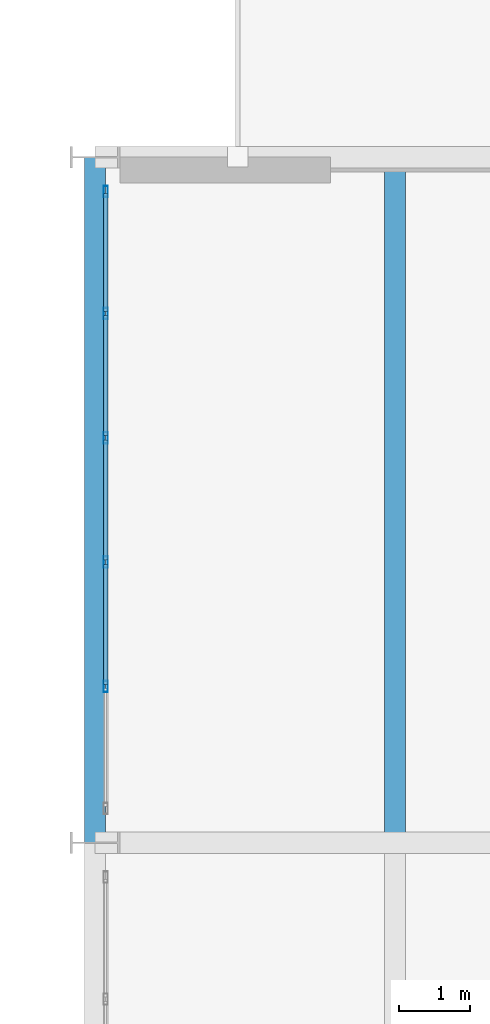
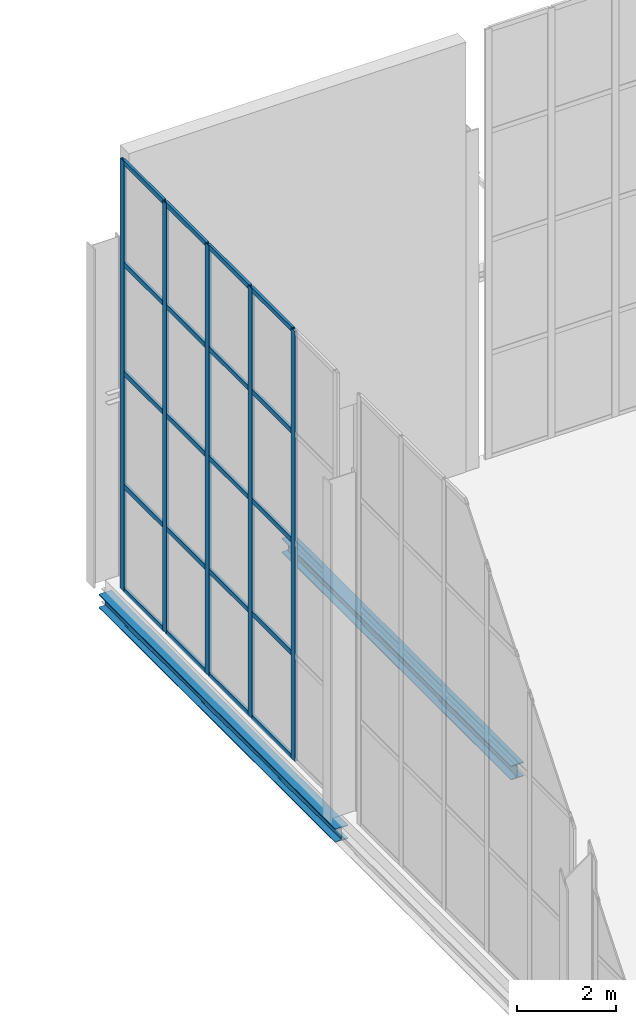
# One storey, part 62 of 131: 25 members, 2 beams, 1 element without a shape of its own.
"""IFC4 building model written with IfcOpenShell, lengths in metres."""

import ifcopenshell
import ifcopenshell.guid

model = None  # the IFC model being written
_history = None  # IfcOwnerHistory: only IFC2X3 demands one
_inside = {}  # id of a spatial element -> (the spatial element, [elements in it])
_under = {}  # id of a project, library or spatial element -> (it, [spatial elements below it])
_declared = {}  # id of a project -> (the project, [libraries it declares])
_typed = {}  # id of a type object -> (the type object, [elements of that type])
_made_of = {}  # id of a material, layer set ... -> (it, [elements and type objects made of it])


def new_model(schema):
    """Start an empty IFC model of exactly this schema.

    Asked for "IFC4X3", IfcOpenShell would pick the latest addendum, in which some entities
    have other attributes; the version numbers below select the first issue.
    IFC2X3 requires an IfcOwnerHistory on every rooted entity: one is made here for all.
    """
    global model, _history
    if schema == "IFC4X3":
        model = ifcopenshell.file(schema_version=(4, 3, 0, 0))
    else:
        model = ifcopenshell.file(schema=schema)
    _inside.clear()
    _under.clear()
    _declared.clear()
    _typed.clear()
    _made_of.clear()
    _history = None
    if model.schema == "IFC2X3":
        org = make("IfcOrganization", Name="unknown")
        user = make(
            "IfcPersonAndOrganization",
            ThePerson=make("IfcPerson", FamilyName="unknown"),
            TheOrganization=org,
        )
        app = make(
            "IfcApplication",
            ApplicationDeveloper=org,
            Version="unknown",
            ApplicationFullName="unknown",
            ApplicationIdentifier="unknown",
        )
        _history = make(
            "IfcOwnerHistory",
            OwningUser=user,
            OwningApplication=app,
            ChangeAction="ADDED",
            CreationDate=0,
        )
    return model


def make(cls, **values):
    """One entity of the class cls with the attributes given. An attribute that is None is left unset."""
    return model.create_entity(
        cls, **{name: value for name, value in values.items() if value is not None}
    )


def rooted(cls, **values):
    """An entity with a GlobalId (a new one), such as an element, a storey or a relation."""
    return make(cls, GlobalId=ifcopenshell.guid.new(), OwnerHistory=_history, **values)


def si_unit(unit_type, name, prefix=None):
    """IfcSIUnit, for example si_unit("LENGTHUNIT", "METRE", prefix="MILLI")."""
    return make("IfcSIUnit", UnitType=unit_type, Prefix=prefix, Name=name)


def assignment(units):
    """IfcUnitAssignment: the units of a project."""
    return None if units is None else make("IfcUnitAssignment", Units=units)


def point(xyz):
    """IfcCartesianPoint."""
    return None if xyz is None else make("IfcCartesianPoint", Coordinates=xyz)


def direction(xyz):
    """IfcDirection."""
    return None if xyz is None else make("IfcDirection", DirectionRatios=xyz)


def frame(location, z_axis=None, x_axis=None):
    """IfcAxis2Placement3D, a coordinate frame: its origin and axes. An axis left out is left unset."""
    return make(
        "IfcAxis2Placement3D",
        Location=point(location),
        Axis=direction(z_axis),
        RefDirection=direction(x_axis),
    )


def frame_2d(location, x_axis=None):
    """IfcAxis2Placement2D, a coordinate frame in the plane: its origin and x axis."""
    return make(
        "IfcAxis2Placement2D", Location=point(location), RefDirection=direction(x_axis)
    )


def origin():
    """The frame at (0, 0, 0) with its axes left unset."""
    return frame((0.0, 0.0, 0.0))


def origin_2d():
    """The frame at (0, 0) in the plane with its x axis left unset."""
    return frame_2d((0.0, 0.0))


def place(relative_to, where):
    """IfcLocalPlacement: puts the frame where relative to a parent placement (None: the world)."""
    return make(
        "IfcLocalPlacement", PlacementRelTo=relative_to, RelativePlacement=where
    )


def context(
    kind, dimensions, precision=None, world=None, true_north=None, identifier=None
):
    """IfcGeometricRepresentationContext, for example the 3D "Model" context."""
    return make(
        "IfcGeometricRepresentationContext",
        ContextIdentifier=identifier,
        ContextType=kind,
        CoordinateSpaceDimension=dimensions,
        Precision=precision,
        WorldCoordinateSystem=world,
        TrueNorth=true_north,
    )


def subcontext(parent, identifier, kind, view, scale=None):
    """IfcGeometricRepresentationSubContext, for example "Body" below "Model"."""
    return make(
        "IfcGeometricRepresentationSubContext",
        ContextIdentifier=identifier,
        ContextType=kind,
        ParentContext=parent,
        TargetScale=scale,
        TargetView=view,
    )


def project(units=None, contexts=None):
    """IfcProject with its units and contexts."""
    return rooted(
        "IfcProject",
        Name="project",
        RepresentationContexts=contexts,
        UnitsInContext=assignment(units),
    )


def spatial(cls, under=None, at=None, **own):
    """A site, building, storey or space (cls), placed at a placement, below another one or the project."""
    s = rooted(cls, ObjectPlacement=at, **own)
    if under is not None:
        _under.setdefault(under.id(), (under, []))[1].append(s)
    return s


def profile(cls, at=None, kind="AREA", **sizes):
    """A parametric profile (cls). Its sizes go by their IFC names, for example OverallWidth=200.0."""
    return make(cls, ProfileType=kind, Position=at, **sizes)


def hollow_rectangle(**sizes):
    """IfcRectangleHollowProfileDef."""
    return profile("IfcRectangleHollowProfileDef", **sizes)


def i_section(**sizes):
    """IfcIShapeProfileDef."""
    return profile("IfcIShapeProfileDef", **sizes)


def extrude(swept, where, along, depth):
    """IfcExtrudedAreaSolid: the profile swept, set in the frame where, extruded along a direction by depth."""
    return make(
        "IfcExtrudedAreaSolid",
        SweptArea=swept,
        Position=where,
        ExtrudedDirection=direction(along),
        Depth=depth,
    )


def shape(context_of_items, identifier, shape_type, items):
    """IfcShapeRepresentation: the items that make up one representation, for example the "Body"."""
    return make(
        "IfcShapeRepresentation",
        ContextOfItems=context_of_items,
        RepresentationIdentifier=identifier,
        RepresentationType=shape_type,
        Items=items,
    )


def material(Name=None, Category=None):
    """IfcMaterial."""
    return make("IfcMaterial", Name=Name, Category=Category)


def material_profile(
    of_material, cross_section, Name=None, Category=None, Priority=None
):
    """IfcMaterialProfile: a cross section and its material."""
    return make(
        "IfcMaterialProfile",
        Name=Name,
        Material=of_material,
        Profile=cross_section,
        Priority=Priority,
        Category=Category,
    )


def profile_set(profiles, Name=None, composite=None):
    """IfcMaterialProfileSet."""
    return make(
        "IfcMaterialProfileSet",
        Name=Name,
        MaterialProfiles=profiles,
        CompositeProfile=composite,
    )


def made_of(thing, what):
    """Note that an element or type object is made of a material, layer set ...; save() writes the relation."""
    if what is not None:
        _made_of.setdefault(what.id(), (what, []))[1].append(thing)
    return thing


def type_object(cls, material=None, **own):
    """A type object (cls), such as IfcWallType, which elements share."""
    return made_of(rooted(cls, **own), material)


def element(
    cls,
    number,
    at=None,
    inside=None,
    cuts=None,
    type_object=None,
    material=None,
    context=None,
    identifier="Body",
    shape_type=None,
    held_by="IfcProductDefinitionShape",
    body=None,
    shapes=None,
    **own,
):
    """One element of the class cls, such as IfcWall. Its Tag is "e" and its number.

    at: its placement. inside: the storey or other place that contains it. cuts: it is an
    opening in that element (IfcRelVoidsElement). A single representation is given by context,
    identifier, shape_type and body (its items); several are given by shapes. held_by: the class
    of the entity that holds the representations. save() writes the other relations.
    """
    e = rooted(cls, Tag="e%d" % number, ObjectPlacement=at, **own)
    if body is not None:
        shapes = [shape(context, identifier, shape_type, body)]
    if shapes is not None:
        e.Representation = make(held_by, Representations=shapes)
    if inside is not None:
        _inside.setdefault(inside.id(), (inside, []))[1].append(e)
    if cuts is not None:
        rooted(
            "IfcRelVoidsElement", RelatingBuildingElement=cuts, RelatedOpeningElement=e
        )
    if type_object is not None:
        _typed.setdefault(type_object.id(), (type_object, []))[1].append(e)
    return made_of(e, material)


def aggregate(whole, parts):
    """IfcRelAggregates: a whole, such as a stair, and the parts it consists of."""
    return rooted("IfcRelAggregates", RelatingObject=whole, RelatedObjects=parts)


def save(model, path):
    """Write the relations noted so far, then the file.

    IfcRelAggregates (storeys below a building ...), IfcRelContainedInSpatialStructure (elements
    in a storey), IfcRelDefinesByType, IfcRelAssociatesMaterial and IfcRelDeclares: one each for
    every whole, place, type object, material and project.
    """
    for whole, parts in _under.values():
        aggregate(whole, parts)
    for where, things in _inside.values():
        rooted(
            "IfcRelContainedInSpatialStructure",
            RelatedElements=things,
            RelatingStructure=where,
        )
    for kind, things in _typed.values():
        rooted("IfcRelDefinesByType", RelatedObjects=things, RelatingType=kind)
    for what, things in _made_of.values():
        rooted("IfcRelAssociatesMaterial", RelatedObjects=things, RelatingMaterial=what)
    for by, libraries in _declared.values():
        rooted("IfcRelDeclares", RelatingContext=by, RelatedDefinitions=libraries)
    model.write(path)


model = new_model("IFC4")

# Units and contexts
model_context = context("Model", 3, precision=1e-05, world=origin(), true_north=direction((0.0, 1.0)))
body_context = subcontext(model_context, "Body", "Model", "MODEL_VIEW")
ifc_project = project(units=[si_unit("LENGTHUNIT", "METRE"), si_unit("AREAUNIT", "SQUARE_METRE"), si_unit("VOLUMEUNIT", "CUBIC_METRE"), si_unit("PLANEANGLEUNIT", "RADIAN"), si_unit("MASSUNIT", "GRAM", prefix="KILO")], contexts=[model_context])

# Site, building, storey
site_placement = place(None, origin())
site = spatial("IfcSite", under=ifc_project, at=site_placement, CompositionType="ELEMENT")
building_placement = place(site_placement, origin())
building = spatial("IfcBuilding", under=site, at=building_placement, Name="Veltarok Museum of Natural Sciences", CompositionType="ELEMENT")
storey_placement = place(building_placement, origin())
storey = spatial("IfcBuildingStorey", under=building, at=storey_placement, Name="L00", CompositionType="ELEMENT", Elevation=0.0)

# Curtain wall, members
ifc_material_1 = material(Name="Low-iron triple insulated glass", Category="glass")
curtain_wall_type = type_object("IfcCurtainWallType", Name="Curtain Wall System CW-PAS-NW-KL-870x1065 (Sculpture Court Passage K-L 870x1065cm)", PredefinedType="NOTDEFINED", material=ifc_material_1)
curtain_wall_placement = place(storey_placement, origin())
curtain_wall = element("IfcCurtainWall", 1, at=curtain_wall_placement, inside=storey, type_object=curtain_wall_type, Name="Curtain Wall CW-PAS-NW-KL-870x1065 CW-0026", PredefinedType="NOTDEFINED")
ifc_material_2 = material(Name="Thermally broken anodised aluminium", Category="aluminium")
ifc_material_profile_1 = material_profile(ifc_material_2, hollow_rectangle(XDim=0.06005859375, YDim=0.1201171875, WallThickness=0.0048828125, at=origin_2d()), Name="CW TRANSOM 60x120x5")
ifc_profile_set_1 = profile_set([ifc_material_profile_1], Name="Thermally broken anodised aluminium")
member_type_1 = type_object("IfcMemberType", Name="Curtain Wall Horizontal Transom 60x120x5", PredefinedType="USERDEFINED", material=ifc_profile_set_1)
member_1_placement = place(storey_placement, frame((31.75, 93.419921875, 0.030029296875), z_axis=(0.0, 1.0, 0.0), x_axis=(-1.0, 0.0, 0.0)))
member_1 = element("IfcMember", 2, at=member_1_placement, type_object=member_type_1, Name="CW-PAS-NW-KL-870x1065 transom 2.1", ObjectType="TRANSOM", PredefinedType="USERDEFINED", context=body_context, shape_type="SweptSolid", body=[
    extrude(hollow_rectangle(XDim=0.06005859375, YDim=0.1201171875, WallThickness=0.0048828125, at=origin_2d()), origin(), (0.0, 0.0, 1.0), 1.68017578125),
])
member_2_placement = place(storey_placement, frame((31.75, 93.419921875, 2.60009765625), z_axis=(0.0, 1.0, 0.0), x_axis=(-1.0, 0.0, 0.0)))
member_2 = element("IfcMember", 3, at=member_2_placement, type_object=member_type_1, Name="CW-PAS-NW-KL-870x1065 transom 2.2", ObjectType="TRANSOM", PredefinedType="USERDEFINED", context=body_context, shape_type="SweptSolid", body=[
    extrude(hollow_rectangle(XDim=0.06005859375, YDim=0.1201171875, WallThickness=0.0048828125, at=origin_2d()), origin(), (0.0, 0.0, 1.0), 1.68017578125),
])
member_3_placement = place(storey_placement, frame((31.75, 93.419921875, 5.39990234375), z_axis=(0.0, 1.0, 0.0), x_axis=(-1.0, 0.0, 0.0)))
member_3 = element("IfcMember", 4, at=member_3_placement, type_object=member_type_1, Name="CW-PAS-NW-KL-870x1065 transom 2.3", ObjectType="TRANSOM", PredefinedType="USERDEFINED", context=body_context, shape_type="SweptSolid", body=[
    extrude(hollow_rectangle(XDim=0.06005859375, YDim=0.1201171875, WallThickness=0.0048828125, at=origin_2d()), origin(), (0.0, 0.0, 1.0), 1.68017578125),
])
member_4_placement = place(storey_placement, frame((31.75, 93.419921875, 8.10009765625), z_axis=(0.0, 1.0, 0.0), x_axis=(-1.0, 0.0, 0.0)))
member_4 = element("IfcMember", 5, at=member_4_placement, type_object=member_type_1, Name="CW-PAS-NW-KL-870x1065 transom 2.4", ObjectType="TRANSOM", PredefinedType="USERDEFINED", context=body_context, shape_type="SweptSolid", body=[
    extrude(hollow_rectangle(XDim=0.06005859375, YDim=0.1201171875, WallThickness=0.0048828125, at=origin_2d()), origin(), (0.0, 0.0, 1.0), 1.68017578125),
])
member_5_placement = place(storey_placement, frame((31.75, 93.419921875, 10.6201171875), z_axis=(0.0, 1.0, 0.0), x_axis=(-1.0, 0.0, 0.0)))
member_5 = element("IfcMember", 6, at=member_5_placement, type_object=member_type_1, Name="CW-PAS-NW-KL-870x1065 transom 2.5", ObjectType="TRANSOM", PredefinedType="USERDEFINED", context=body_context, shape_type="SweptSolid", body=[
    extrude(hollow_rectangle(XDim=0.06005859375, YDim=0.1201171875, WallThickness=0.0048828125, at=origin_2d()), origin(), (0.0, 0.0, 1.0), 1.68017578125),
])
member_6_placement = place(storey_placement, frame((31.75, 95.159912109375, 0.030029296875), z_axis=(0.0, 1.0, 0.0), x_axis=(-1.0, 0.0, 0.0)))
member_6 = element("IfcMember", 7, at=member_6_placement, type_object=member_type_1, Name="CW-PAS-NW-KL-870x1065 transom 3.1", ObjectType="TRANSOM", PredefinedType="USERDEFINED", context=body_context, shape_type="SweptSolid", body=[
    extrude(hollow_rectangle(XDim=0.06005859375, YDim=0.1201171875, WallThickness=0.0048828125, at=origin_2d()), origin(), (0.0, 0.0, 1.0), 1.68017578125),
])
member_7_placement = place(storey_placement, frame((31.75, 95.159912109375, 2.60009765625), z_axis=(0.0, 1.0, 0.0), x_axis=(-1.0, 0.0, 0.0)))
member_7 = element("IfcMember", 8, at=member_7_placement, type_object=member_type_1, Name="CW-PAS-NW-KL-870x1065 transom 3.2", ObjectType="TRANSOM", PredefinedType="USERDEFINED", context=body_context, shape_type="SweptSolid", body=[
    extrude(hollow_rectangle(XDim=0.06005859375, YDim=0.1201171875, WallThickness=0.0048828125, at=origin_2d()), origin(), (0.0, 0.0, 1.0), 1.68017578125),
])
member_8_placement = place(storey_placement, frame((31.75, 95.159912109375, 5.39990234375), z_axis=(0.0, 1.0, 0.0), x_axis=(-1.0, 0.0, 0.0)))
member_8 = element("IfcMember", 9, at=member_8_placement, type_object=member_type_1, Name="CW-PAS-NW-KL-870x1065 transom 3.3", ObjectType="TRANSOM", PredefinedType="USERDEFINED", context=body_context, shape_type="SweptSolid", body=[
    extrude(hollow_rectangle(XDim=0.06005859375, YDim=0.1201171875, WallThickness=0.0048828125, at=origin_2d()), origin(), (0.0, 0.0, 1.0), 1.68017578125),
])
member_9_placement = place(storey_placement, frame((31.75, 95.159912109375, 8.10009765625), z_axis=(0.0, 1.0, 0.0), x_axis=(-1.0, 0.0, 0.0)))
member_9 = element("IfcMember", 10, at=member_9_placement, type_object=member_type_1, Name="CW-PAS-NW-KL-870x1065 transom 3.4", ObjectType="TRANSOM", PredefinedType="USERDEFINED", context=body_context, shape_type="SweptSolid", body=[
    extrude(hollow_rectangle(XDim=0.06005859375, YDim=0.1201171875, WallThickness=0.0048828125, at=origin_2d()), origin(), (0.0, 0.0, 1.0), 1.68017578125),
])
member_10_placement = place(storey_placement, frame((31.75, 95.159912109375, 10.6201171875), z_axis=(0.0, 1.0, 0.0), x_axis=(-1.0, 0.0, 0.0)))
member_10 = element("IfcMember", 11, at=member_10_placement, type_object=member_type_1, Name="CW-PAS-NW-KL-870x1065 transom 3.5", ObjectType="TRANSOM", PredefinedType="USERDEFINED", context=body_context, shape_type="SweptSolid", body=[
    extrude(hollow_rectangle(XDim=0.06005859375, YDim=0.1201171875, WallThickness=0.0048828125, at=origin_2d()), origin(), (0.0, 0.0, 1.0), 1.68017578125),
])
member_11_placement = place(storey_placement, frame((31.75, 96.89990234375, 0.030029296875), z_axis=(0.0, 1.0, 0.0), x_axis=(-1.0, 0.0, 0.0)))
member_11 = element("IfcMember", 12, at=member_11_placement, type_object=member_type_1, Name="CW-PAS-NW-KL-870x1065 transom 4.1", ObjectType="TRANSOM", PredefinedType="USERDEFINED", context=body_context, shape_type="SweptSolid", body=[
    extrude(hollow_rectangle(XDim=0.06005859375, YDim=0.1201171875, WallThickness=0.0048828125, at=origin_2d()), origin(), (0.0, 0.0, 1.0), 1.68017578125),
])
member_12_placement = place(storey_placement, frame((31.75, 96.89990234375, 2.60009765625), z_axis=(0.0, 1.0, 0.0), x_axis=(-1.0, 0.0, 0.0)))
member_12 = element("IfcMember", 13, at=member_12_placement, type_object=member_type_1, Name="CW-PAS-NW-KL-870x1065 transom 4.2", ObjectType="TRANSOM", PredefinedType="USERDEFINED", context=body_context, shape_type="SweptSolid", body=[
    extrude(hollow_rectangle(XDim=0.06005859375, YDim=0.1201171875, WallThickness=0.0048828125, at=origin_2d()), origin(), (0.0, 0.0, 1.0), 1.68017578125),
])
member_13_placement = place(storey_placement, frame((31.75, 96.89990234375, 5.39990234375), z_axis=(0.0, 1.0, 0.0), x_axis=(-1.0, 0.0, 0.0)))
member_13 = element("IfcMember", 14, at=member_13_placement, type_object=member_type_1, Name="CW-PAS-NW-KL-870x1065 transom 4.3", ObjectType="TRANSOM", PredefinedType="USERDEFINED", context=body_context, shape_type="SweptSolid", body=[
    extrude(hollow_rectangle(XDim=0.06005859375, YDim=0.1201171875, WallThickness=0.0048828125, at=origin_2d()), origin(), (0.0, 0.0, 1.0), 1.68017578125),
])
member_14_placement = place(storey_placement, frame((31.75, 96.89990234375, 8.10009765625), z_axis=(0.0, 1.0, 0.0), x_axis=(-1.0, 0.0, 0.0)))
member_14 = element("IfcMember", 15, at=member_14_placement, type_object=member_type_1, Name="CW-PAS-NW-KL-870x1065 transom 4.4", ObjectType="TRANSOM", PredefinedType="USERDEFINED", context=body_context, shape_type="SweptSolid", body=[
    extrude(hollow_rectangle(XDim=0.06005859375, YDim=0.1201171875, WallThickness=0.0048828125, at=origin_2d()), origin(), (0.0, 0.0, 1.0), 1.68017578125),
])
member_15_placement = place(storey_placement, frame((31.75, 96.89990234375, 10.6201171875), z_axis=(0.0, 1.0, 0.0), x_axis=(-1.0, 0.0, 0.0)))
member_15 = element("IfcMember", 16, at=member_15_placement, type_object=member_type_1, Name="CW-PAS-NW-KL-870x1065 transom 4.5", ObjectType="TRANSOM", PredefinedType="USERDEFINED", context=body_context, shape_type="SweptSolid", body=[
    extrude(hollow_rectangle(XDim=0.06005859375, YDim=0.1201171875, WallThickness=0.0048828125, at=origin_2d()), origin(), (0.0, 0.0, 1.0), 1.68017578125),
])
member_16_placement = place(storey_placement, frame((31.75, 98.639892578125, 0.030029296875), z_axis=(0.0, 1.0, 0.0), x_axis=(-1.0, 0.0, 0.0)))
member_16 = element("IfcMember", 17, at=member_16_placement, type_object=member_type_1, Name="CW-PAS-NW-KL-870x1065 transom 5.1", ObjectType="TRANSOM", PredefinedType="USERDEFINED", context=body_context, shape_type="SweptSolid", body=[
    extrude(hollow_rectangle(XDim=0.06005859375, YDim=0.1201171875, WallThickness=0.0048828125, at=origin_2d()), origin(), (0.0, 0.0, 1.0), 1.650146484375),
])
member_17_placement = place(storey_placement, frame((31.75, 98.639892578125, 2.60009765625), z_axis=(0.0, 1.0, 0.0), x_axis=(-1.0, 0.0, 0.0)))
member_17 = element("IfcMember", 18, at=member_17_placement, type_object=member_type_1, Name="CW-PAS-NW-KL-870x1065 transom 5.2", ObjectType="TRANSOM", PredefinedType="USERDEFINED", context=body_context, shape_type="SweptSolid", body=[
    extrude(hollow_rectangle(XDim=0.06005859375, YDim=0.1201171875, WallThickness=0.0048828125, at=origin_2d()), origin(), (0.0, 0.0, 1.0), 1.650146484375),
])
member_18_placement = place(storey_placement, frame((31.75, 98.639892578125, 5.39990234375), z_axis=(0.0, 1.0, 0.0), x_axis=(-1.0, 0.0, 0.0)))
member_18 = element("IfcMember", 19, at=member_18_placement, type_object=member_type_1, Name="CW-PAS-NW-KL-870x1065 transom 5.3", ObjectType="TRANSOM", PredefinedType="USERDEFINED", context=body_context, shape_type="SweptSolid", body=[
    extrude(hollow_rectangle(XDim=0.06005859375, YDim=0.1201171875, WallThickness=0.0048828125, at=origin_2d()), origin(), (0.0, 0.0, 1.0), 1.650146484375),
])
member_19_placement = place(storey_placement, frame((31.75, 98.639892578125, 8.10009765625), z_axis=(0.0, 1.0, 0.0), x_axis=(-1.0, 0.0, 0.0)))
member_19 = element("IfcMember", 20, at=member_19_placement, type_object=member_type_1, Name="CW-PAS-NW-KL-870x1065 transom 5.4", ObjectType="TRANSOM", PredefinedType="USERDEFINED", context=body_context, shape_type="SweptSolid", body=[
    extrude(hollow_rectangle(XDim=0.06005859375, YDim=0.1201171875, WallThickness=0.0048828125, at=origin_2d()), origin(), (0.0, 0.0, 1.0), 1.650146484375),
])
member_20_placement = place(storey_placement, frame((31.75, 98.639892578125, 10.6201171875), z_axis=(0.0, 1.0, 0.0), x_axis=(-1.0, 0.0, 0.0)))
member_20 = element("IfcMember", 21, at=member_20_placement, type_object=member_type_1, Name="CW-PAS-NW-KL-870x1065 transom 5.5", ObjectType="TRANSOM", PredefinedType="USERDEFINED", context=body_context, shape_type="SweptSolid", body=[
    extrude(hollow_rectangle(XDim=0.06005859375, YDim=0.1201171875, WallThickness=0.0048828125, at=origin_2d()), origin(), (0.0, 0.0, 1.0), 1.650146484375),
])
ifc_material_profile_2 = material_profile(ifc_material_2, hollow_rectangle(XDim=0.06005859375, YDim=0.159912109375, WallThickness=0.0048828125, at=origin_2d()), Name="CW MULLION 60x160x5")
ifc_profile_set_2 = profile_set([ifc_material_profile_2], Name="Thermally broken anodised aluminium")
member_type_2 = type_object("IfcMemberType", Name="Curtain Wall Vertical Mullion 60x160x5", PredefinedType="MULLION", material=ifc_profile_set_2)
member_21_placement = place(storey_placement, frame((31.75, 93.389892578125, 0.0), z_axis=(0.0, 0.0, 1.0), x_axis=(-1.0, 0.0, 0.0)))
member_21 = element("IfcMember", 22, at=member_21_placement, type_object=member_type_2, Name="CW-PAS-NW-KL-870x1065 mullion 2", PredefinedType="MULLION", context=body_context, shape_type="SweptSolid", body=[
    extrude(hollow_rectangle(XDim=0.06005859375, YDim=0.159912109375, WallThickness=0.0048828125, at=origin_2d()), origin(), (0.0, 0.0, 1.0), 10.64990234375),
])
member_22_placement = place(storey_placement, frame((31.75, 95.1298828125, 0.0), z_axis=(0.0, 0.0, 1.0), x_axis=(-1.0, 0.0, 0.0)))
member_22 = element("IfcMember", 23, at=member_22_placement, type_object=member_type_2, Name="CW-PAS-NW-KL-870x1065 mullion 3", PredefinedType="MULLION", context=body_context, shape_type="SweptSolid", body=[
    extrude(hollow_rectangle(XDim=0.06005859375, YDim=0.159912109375, WallThickness=0.0048828125, at=origin_2d()), origin(), (0.0, 0.0, 1.0), 10.64990234375),
])
member_23_placement = place(storey_placement, frame((31.75, 96.8701171875, 0.0), z_axis=(0.0, 0.0, 1.0), x_axis=(-1.0, 0.0, 0.0)))
member_23 = element("IfcMember", 24, at=member_23_placement, type_object=member_type_2, Name="CW-PAS-NW-KL-870x1065 mullion 4", PredefinedType="MULLION", context=body_context, shape_type="SweptSolid", body=[
    extrude(hollow_rectangle(XDim=0.06005859375, YDim=0.159912109375, WallThickness=0.0048828125, at=origin_2d()), origin(), (0.0, 0.0, 1.0), 10.64990234375),
])
member_24_placement = place(storey_placement, frame((31.75, 98.610107421875, 0.0), z_axis=(0.0, 0.0, 1.0), x_axis=(-1.0, 0.0, 0.0)))
member_24 = element("IfcMember", 25, at=member_24_placement, type_object=member_type_2, Name="CW-PAS-NW-KL-870x1065 mullion 5", PredefinedType="MULLION", context=body_context, shape_type="SweptSolid", body=[
    extrude(hollow_rectangle(XDim=0.06005859375, YDim=0.159912109375, WallThickness=0.0048828125, at=origin_2d()), origin(), (0.0, 0.0, 1.0), 10.64990234375),
])
member_25_placement = place(storey_placement, frame((31.75, 100.320068359375, 0.0), z_axis=(0.0, 0.0, 1.0), x_axis=(-1.0, 0.0, 0.0)))
member_25 = element("IfcMember", 26, at=member_25_placement, type_object=member_type_2, Name="CW-PAS-NW-KL-870x1065 mullion 6", PredefinedType="MULLION", context=body_context, shape_type="SweptSolid", body=[
    extrude(hollow_rectangle(XDim=0.06005859375, YDim=0.159912109375, WallThickness=0.0048828125, at=origin_2d()), origin(), (0.0, 0.0, 1.0), 10.64990234375),
])
aggregate(curtain_wall, [member_21, member_22, member_23, member_24, member_25, member_1, member_2, member_3, member_4, member_5, member_6, member_7, member_8, member_9, member_10, member_11, member_12, member_13, member_14, member_15, member_16, member_17, member_18, member_19, member_20])

# Beams
ifc_material_3 = material(Name="Steel S355J2", Category="steel")
ifc_material_profile_3 = material_profile(ifc_material_3, i_section(OverallWidth=0.300048828125, OverallDepth=0.35009765625, WebThickness=0.010009765625, FlangeThickness=0.017578125, FilletRadius=0.027099609375, at=origin_2d()), Name="HEA 360")
ifc_profile_set_3 = profile_set([ifc_material_profile_3], Name="Steel S355J2")
beam_type_1 = type_object("IfcBeamType", Name="Long-Span Gallery Joist HEA 360", PredefinedType="JOIST", material=ifc_profile_set_3)
beam_1_placement = place(storey_placement, frame((35.800048828125, 91.347900390625, -0.47509765625), z_axis=(0.0, 1.0, 0.0), x_axis=(-1.0, 0.0, 0.0)))
element("IfcBeam", 27, at=beam_1_placement, inside=storey, type_object=beam_type_1, Name="Secondary Joist BM-J07 L00 4-5/K-L.1", PredefinedType="JOIST", context=body_context, shape_type="SweptSolid", body=[
    extrude(i_section(OverallWidth=0.300048828125, OverallDepth=0.35009765625, WebThickness=0.010009765625, FlangeThickness=0.017578125, FilletRadius=0.027099609375, at=origin_2d()), origin(), (0.0, 0.0, 1.0), 9.30419921875),
])
ifc_material_profile_4 = material_profile(ifc_material_3, i_section(OverallWidth=0.300048828125, OverallDepth=0.340087890625, WebThickness=0.011962890625, FlangeThickness=0.021484375, FilletRadius=0.027099609375, at=origin_2d()), Name="HEB 340")
ifc_profile_set_4 = profile_set([ifc_material_profile_4], Name="Steel S355J2")
beam_type_2 = type_object("IfcBeamType", Name="Perimeter Bridge Spandrel HEB 340", PredefinedType="SPANDREL", material=ifc_profile_set_4)
beam_2_placement = place(storey_placement, frame((31.60009765625, 91.199951171875, -0.469970703125), z_axis=(0.0, 1.0, 0.0), x_axis=(-1.0, 0.0, 0.0)))
element("IfcBeam", 28, at=beam_2_placement, inside=storey, type_object=beam_type_2, Name="Beam BM-SP07 L00 4/K-L", PredefinedType="SPANDREL", context=body_context, shape_type="SweptSolid", body=[
    extrude(i_section(OverallWidth=0.300048828125, OverallDepth=0.340087890625, WebThickness=0.011962890625, FlangeThickness=0.021484375, FilletRadius=0.027099609375, at=origin_2d()), origin(), (0.0, 0.0, 1.0), 9.60009765625),
])

save(model, "model.ifc")
